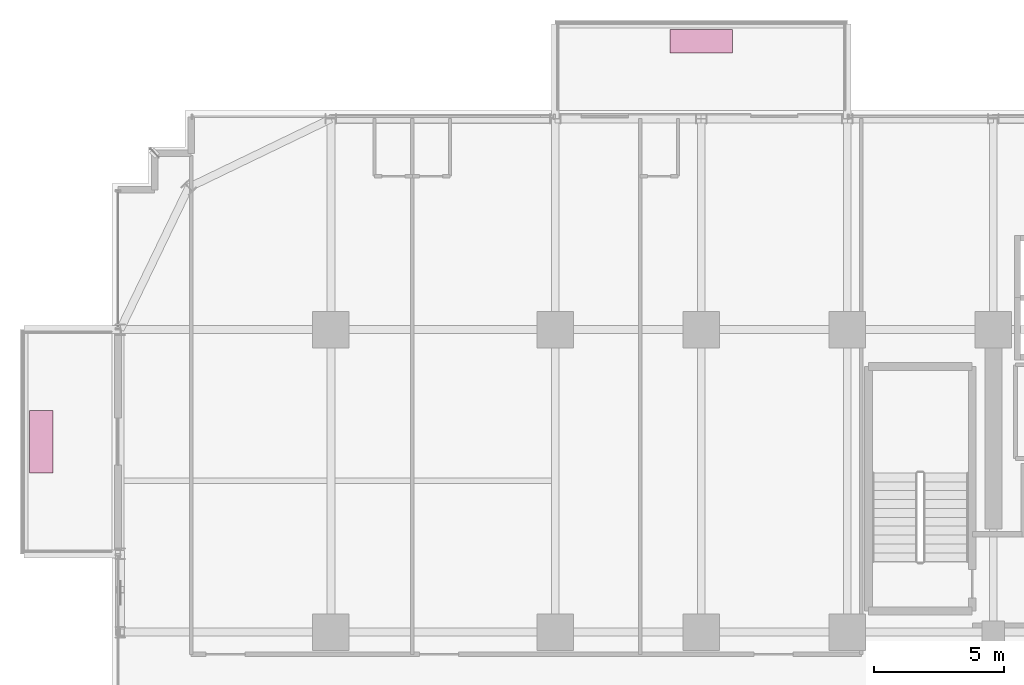
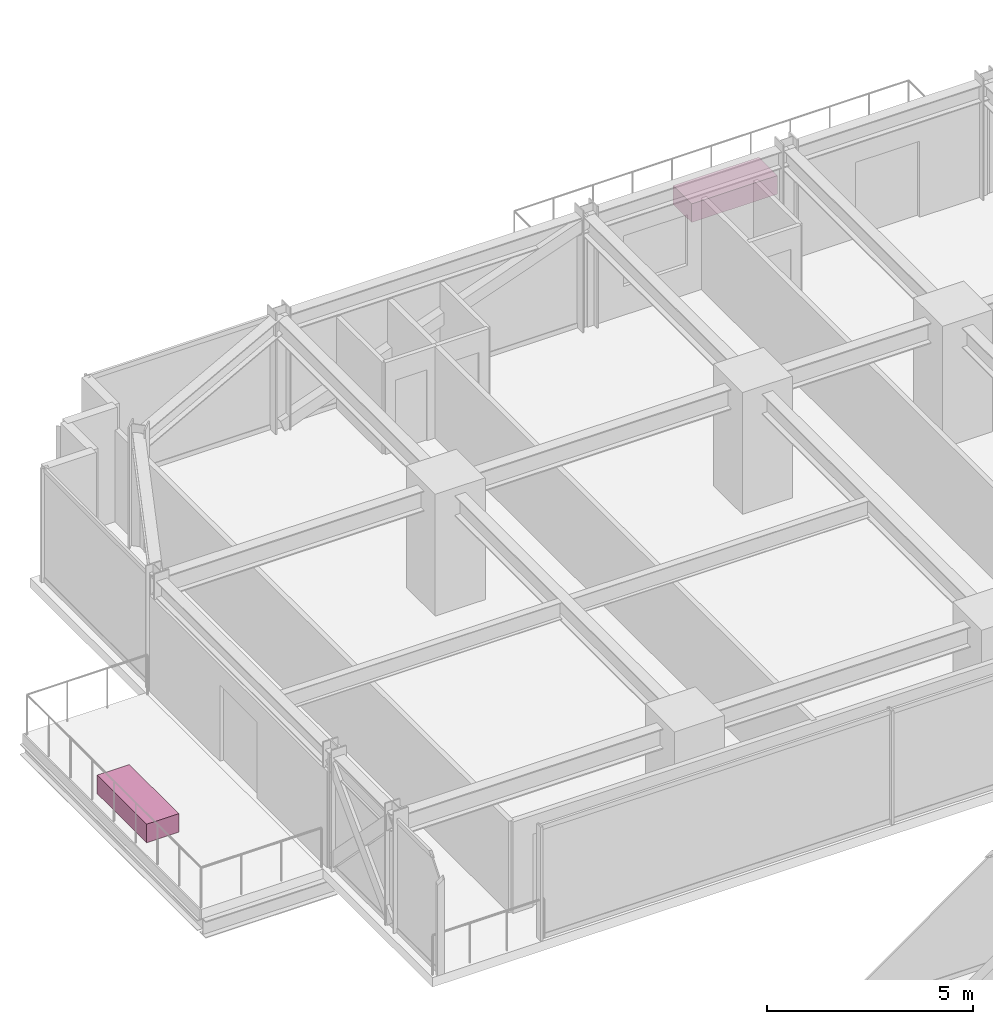
# One storey, part 43 of 43: 2 furnishings.
"""IFC4 building model written with IfcOpenShell, lengths in metres."""

from ifc_helpers import new_model, si_unit, direction, frame, origin, origin_2d, place, context, subcontext, project, spatial, rectangle, extrude, source, transform, mapped, material, type_object, element, save


model = new_model("IFC4")

# Units and contexts
model_context = context("Model", 3, precision=1e-05, world=origin(), true_north=direction((0.0, 1.0)))
body_context = subcontext(model_context, "Body", "Model", "MODEL_VIEW")
ifc_project = project(units=[si_unit("LENGTHUNIT", "METRE"), si_unit("AREAUNIT", "SQUARE_METRE"), si_unit("VOLUMEUNIT", "CUBIC_METRE"), si_unit("PLANEANGLEUNIT", "RADIAN"), si_unit("MASSUNIT", "GRAM", prefix="KILO")], contexts=[model_context])

# Site, building, storey
site_placement = place(None, origin())
site = spatial("IfcSite", under=ifc_project, at=site_placement, CompositionType="ELEMENT")
building_placement = place(site_placement, origin())
building = spatial("IfcBuilding", under=site, at=building_placement, Name="Nahalor Promenade Grand Hotel", CompositionType="ELEMENT")
storey_placement = place(building_placement, frame((0.0, 0.0, 47.0)))
storey = spatial("IfcBuildingStorey", under=building, at=storey_placement, Name="L10", CompositionType="ELEMENT", Elevation=47.0)

# Furnishings
ifc_material = material(Name="Vegetated Volcanic-Lapilli Tree Planter", Category="earth")
furnishing_element_type = type_object("IfcFurnishingElementType", Name="Planter-VerticalForest-Box", material=ifc_material)
shared_shape = source(origin(), body_context, "Body", "SweptSolid", [
    extrude(rectangle(XDim=2.39990234375, YDim=0.89990234375, at=origin_2d()), origin(), (0.0, 0.0, 1.0), 0.550048828125),
])
for number, where, z_axis, x_axis, name in (
    (1, (-2.800048828125, 28.050048828125, 0.0), (0.0, 0.0, 1.0), (1.0, 0.0, 0.0), "L10 Balcony Structural Tree Planter 1"),
    (2, (-28.10009765625, 12.699951171875, 0.0), (0.0, 0.0, 1.0), (0.0, 1.0, 0.0), "L10 Balcony Structural Tree Planter 2"),
):
    element("IfcFurnishingElement", number, at=place(storey_placement, frame(where, z_axis=z_axis, x_axis=x_axis)), inside=storey, type_object=furnishing_element_type, Name=name, ObjectType="PLANTER", context=body_context, shape_type="MappedRepresentation", body=[
        mapped(shared_shape, transform((0.0, 0.0, 0.0), scale=1.0)),
    ])

save(model, "model.ifc")
